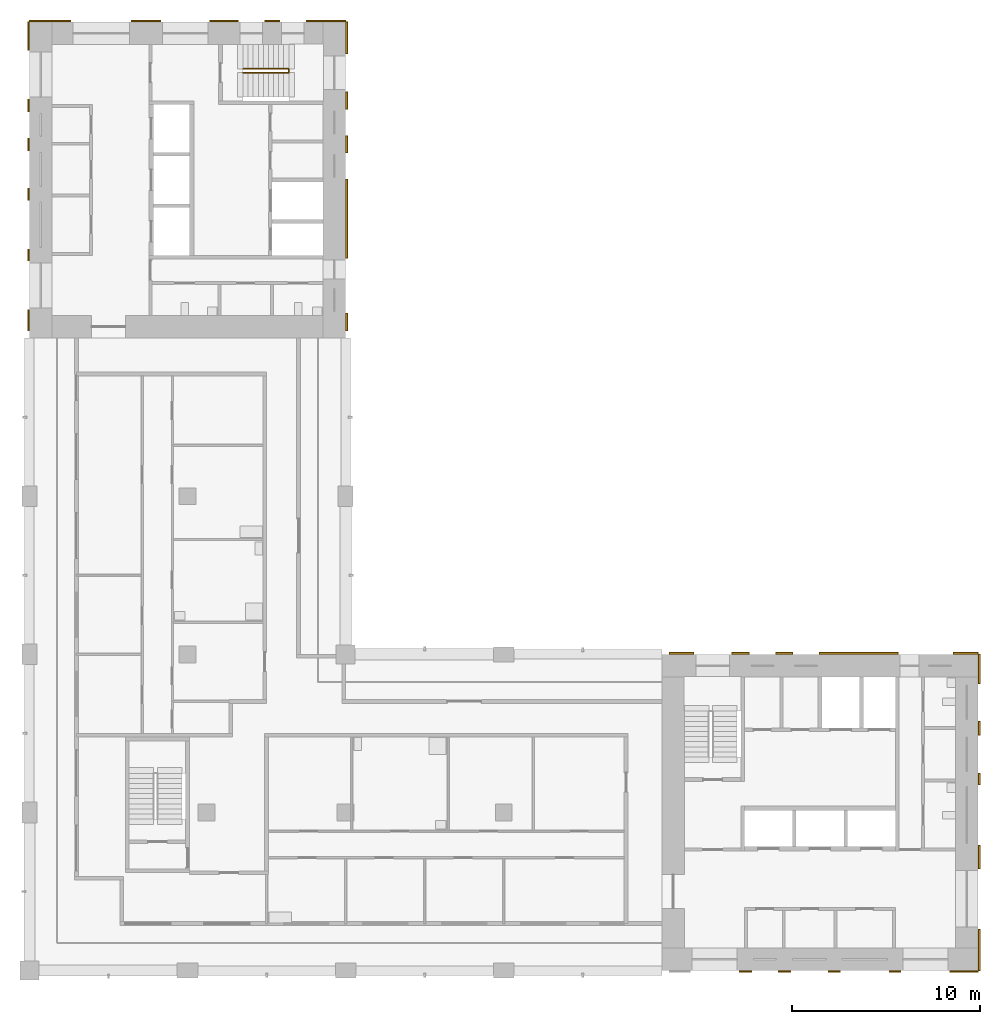
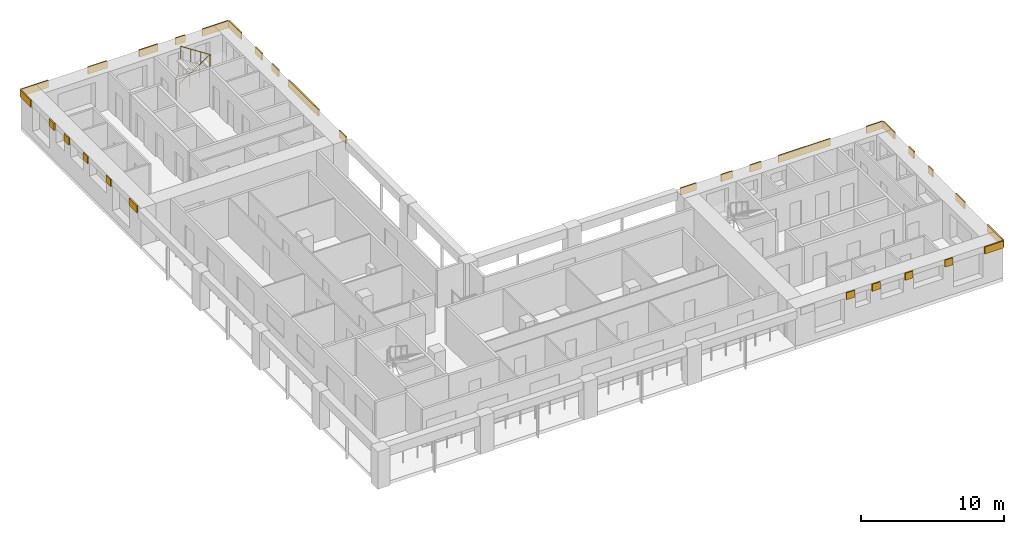
# One storey, part 8 of 9: 31 shading devices, 1 railing.
"""IFC4 building model written with IfcOpenShell, lengths in metres."""

from ifc_helpers import new_model, si_unit, direction, frame, origin, origin_2d, place, context, subcontext, project, spatial, rectangle, circle, extrude, material, layer, layer_set, type_object, element, save


model = new_model("IFC4")

# Units and contexts
model_context = context("Model", 3, precision=1e-05, world=origin(), true_north=direction((0.0, 1.0)))
body_context = subcontext(model_context, "Body", "Model", "MODEL_VIEW")
ifc_project = project(units=[si_unit("LENGTHUNIT", "METRE"), si_unit("AREAUNIT", "SQUARE_METRE"), si_unit("VOLUMEUNIT", "CUBIC_METRE"), si_unit("PLANEANGLEUNIT", "RADIAN"), si_unit("MASSUNIT", "GRAM", prefix="KILO")], contexts=[model_context])

# Site, building, storey
site_placement = place(None, origin())
site = spatial("IfcSite", under=ifc_project, at=site_placement, CompositionType="ELEMENT")
building_placement = place(site_placement, origin())
building = spatial("IfcBuilding", under=site, at=building_placement, Name="Vermilion Gate Residences", CompositionType="ELEMENT")
storey_placement = place(building_placement, frame((0.0, 0.0, 231.699951171875)))
storey = spatial("IfcBuildingStorey", under=building, at=storey_placement, Name="L60", CompositionType="ELEMENT", Elevation=231.699951171875)

# Railing
ifc_material_1 = material(Name="Steel S355", Category="steel")
railing_type = type_object("IfcRailingType", Name="STAIR GUARD 1100 STEEL", PredefinedType="GUARDRAIL", material=ifc_material_1)
railing_placement = place(storey_placement, frame((19.75, 56.300048828125, 0.175048828125)))
element("IfcRailing", 1, at=railing_placement, inside=storey, type_object=railing_type, Name="Stair well guard STB1-60", PredefinedType="GUARDRAIL", context=body_context, shape_type="SweptSolid", body=[
    extrude(circle(Radius=0.02392578125, at=origin_2d()), frame((0.0, 0.0, 1.076171875), z_axis=(0.839153699163, 0.0, 0.543894354798), x_axis=(0.0, 1.0, 0.0)), (0.0, 0.0, 1.0), 2.895751953125),
    extrude(circle(Radius=0.02392578125, at=origin_2d()), frame((2.429931640625, 0.0, 2.65087890625), z_axis=(0.0, -0.752405939678, 0.658699705433), x_axis=(1.0, 0.0, 0.0)), (0.0, 0.0, 1.0), 0.265869140625),
    extrude(circle(Radius=0.02392578125, at=origin_2d()), frame((2.429931640625, -0.199951171875, 2.826171875), z_axis=(-0.839153699163, 0.0, 0.543894354798), x_axis=(0.0, -1.0, 0.0)), (0.0, 0.0, 1.0), 2.895751953125),
    extrude(circle(Radius=0.02099609375, at=origin_2d()), origin(), (0.0, 0.0, 1.0), 1.052001953125),
    extrude(circle(Radius=0.02099609375, at=origin_2d()), frame((0.81005859375, 0.0, 0.52490234375)), (0.0, 0.0, 1.0), 1.052001953125),
    extrude(circle(Radius=0.02099609375, at=origin_2d()), frame((1.619873046875, 0.0, 1.050048828125)), (0.0, 0.0, 1.0), 1.052001953125),
    extrude(circle(Radius=0.02099609375, at=origin_2d()), frame((2.429931640625, 0.0, 1.574951171875)), (0.0, 0.0, 1.0), 1.052001953125),
    extrude(circle(Radius=0.02099609375, at=origin_2d()), frame((2.429931640625, -0.199951171875, 1.75)), (0.0, 0.0, 1.0), 1.052001953125),
    extrude(circle(Radius=0.02099609375, at=origin_2d()), frame((1.619873046875, -0.199951171875, 2.27490234375)), (0.0, 0.0, 1.0), 1.052001953125),
    extrude(circle(Radius=0.02099609375, at=origin_2d()), frame((0.81005859375, -0.199951171875, 2.800048828125)), (0.0, 0.0, 1.0), 1.052001953125),
    extrude(circle(Radius=0.02099609375, at=origin_2d()), frame((0.0, -0.199951171875, 3.324951171875)), (0.0, 0.0, 1.0), 1.052001953125),
])

# Shading devices
ifc_material_2 = material(Name="Extruded terracotta", Category="masonry")
ifc_layer = layer(ifc_material_2, 0.10009765625)
ifc_layer_set = layer_set([ifc_layer], Name="TERRACOTTA SPANDREL BAND 600 X 100")
shading_device_type = type_object("IfcShadingDeviceType", Name="TERRACOTTA SPANDREL BAND 600 X 100", PredefinedType="USERDEFINED", material=ifc_layer_set)
shading_device_1_placement = place(storey_placement, frame((46.4375, 8.35009765625, 2.6201171875), z_axis=(0.0, 0.0, 1.0), x_axis=(1.0, 0.0, 0.0)))
element("IfcShadingDevice", 2, at=shading_device_1_placement, inside=storey, type_object=shading_device_type, Name="SPANDREL BAND", ObjectType="BAND", PredefinedType="USERDEFINED", context=body_context, shape_type="SweptSolid", body=[
    extrude(rectangle(XDim=0.675048828125, YDim=0.10009765625, at=origin_2d()), origin(), (0.0, 0.0, 1.0), 0.60009765625),
])
shading_device_2_placement = place(storey_placement, frame((48.510009765625, 8.35009765625, 2.6201171875), z_axis=(0.0, 0.0, 1.0), x_axis=(1.0, 0.0, 0.0)))
element("IfcShadingDevice", 3, at=shading_device_2_placement, inside=storey, type_object=shading_device_type, Name="SPANDREL BAND", ObjectType="BAND", PredefinedType="USERDEFINED", context=body_context, shape_type="SweptSolid", body=[
    extrude(rectangle(XDim=0.669921875, YDim=0.10009765625, at=origin_2d()), origin(), (0.0, 0.0, 1.0), 0.60009765625),
])
shading_device_3_placement = place(storey_placement, frame((51.157470703125, 8.35009765625, 2.6201171875), z_axis=(0.0, 0.0, 1.0), x_axis=(1.0, 0.0, 0.0)))
element("IfcShadingDevice", 4, at=shading_device_3_placement, inside=storey, type_object=shading_device_type, Name="SPANDREL BAND", ObjectType="BAND", PredefinedType="USERDEFINED", context=body_context, shape_type="SweptSolid", body=[
    extrude(rectangle(XDim=0.625, YDim=0.10009765625, at=origin_2d()), origin(), (0.0, 0.0, 1.0), 0.60009765625),
])
shading_device_4_placement = place(storey_placement, frame((54.385009765625, 8.35009765625, 2.6201171875), z_axis=(0.0, 0.0, 1.0), x_axis=(1.0, 0.0, 0.0)))
element("IfcShadingDevice", 5, at=shading_device_4_placement, inside=storey, type_object=shading_device_type, Name="SPANDREL BAND", ObjectType="BAND", PredefinedType="USERDEFINED", context=body_context, shape_type="SweptSolid", body=[
    extrude(rectangle(XDim=0.6298828125, YDim=0.10009765625, at=origin_2d()), origin(), (0.0, 0.0, 1.0), 0.60009765625),
])
shading_device_5_placement = place(storey_placement, frame((58.050048828125, 8.35009765625, 2.6201171875), z_axis=(0.0, 0.0, 1.0), x_axis=(1.0, 0.0, 0.0)))
element("IfcShadingDevice", 6, at=shading_device_5_placement, inside=storey, type_object=shading_device_type, Name="SPANDREL BAND", ObjectType="BAND", PredefinedType="USERDEFINED", context=body_context, shape_type="SweptSolid", body=[
    extrude(rectangle(XDim=1.5, YDim=0.10009765625, at=origin_2d()), origin(), (0.0, 0.0, 1.0), 0.60009765625),
])
shading_device_6_placement = place(storey_placement, frame((43.050048828125, 25.25, 2.6201171875), z_axis=(0.0, 0.0, 1.0), x_axis=(1.0, 0.0, 0.0)))
element("IfcShadingDevice", 7, at=shading_device_6_placement, inside=storey, type_object=shading_device_type, Name="SPANDREL BAND", ObjectType="BAND", PredefinedType="USERDEFINED", context=body_context, shape_type="SweptSolid", body=[
    extrude(rectangle(XDim=1.300048828125, YDim=0.10009765625, at=origin_2d()), origin(), (0.0, 0.0, 1.0), 0.60009765625),
])
shading_device_7_placement = place(storey_placement, frame((46.168701171875, 25.25, 2.6201171875), z_axis=(0.0, 0.0, 1.0), x_axis=(1.0, 0.0, 0.0)))
element("IfcShadingDevice", 8, at=shading_device_7_placement, inside=storey, type_object=shading_device_type, Name="SPANDREL BAND", ObjectType="BAND", PredefinedType="USERDEFINED", context=body_context, shape_type="SweptSolid", body=[
    extrude(rectangle(XDim=0.9375, YDim=0.10009765625, at=origin_2d()), origin(), (0.0, 0.0, 1.0), 0.60009765625),
])
shading_device_8_placement = place(storey_placement, frame((48.49365234375, 25.25, 2.6201171875), z_axis=(0.0, 0.0, 1.0), x_axis=(1.0, 0.0, 0.0)))
element("IfcShadingDevice", 9, at=shading_device_8_placement, inside=storey, type_object=shading_device_type, Name="SPANDREL BAND", ObjectType="BAND", PredefinedType="USERDEFINED", context=body_context, shape_type="SweptSolid", body=[
    extrude(rectangle(XDim=0.91259765625, YDim=0.10009765625, at=origin_2d()), origin(), (0.0, 0.0, 1.0), 0.60009765625),
])
shading_device_9_placement = place(storey_placement, frame((52.449951171875, 25.25, 2.6201171875), z_axis=(0.0, 0.0, 1.0), x_axis=(1.0, 0.0, 0.0)))
element("IfcShadingDevice", 10, at=shading_device_9_placement, inside=storey, type_object=shading_device_type, Name="SPANDREL BAND", ObjectType="BAND", PredefinedType="USERDEFINED", context=body_context, shape_type="SweptSolid", body=[
    extrude(rectangle(XDim=4.199951171875, YDim=0.10009765625, at=origin_2d()), origin(), (0.0, 0.0, 1.0), 0.60009765625),
])
shading_device_10_placement = place(storey_placement, frame((58.137451171875, 25.25, 2.6201171875), z_axis=(0.0, 0.0, 1.0), x_axis=(1.0, 0.0, 0.0)))
element("IfcShadingDevice", 11, at=shading_device_10_placement, inside=storey, type_object=shading_device_type, Name="SPANDREL BAND", ObjectType="BAND", PredefinedType="USERDEFINED", context=body_context, shape_type="SweptSolid", body=[
    extrude(rectangle(XDim=1.324951171875, YDim=0.10009765625, at=origin_2d()), origin(), (0.0, 0.0, 1.0), 0.60009765625),
])
shading_device_11_placement = place(storey_placement, frame((58.85009765625, 9.50244140625, 2.6201171875), z_axis=(0.0, 0.0, 1.0), x_axis=(0.0, 1.0, 0.0)))
element("IfcShadingDevice", 12, at=shading_device_11_placement, inside=storey, type_object=shading_device_type, Name="SPANDREL BAND", ObjectType="BAND", PredefinedType="USERDEFINED", context=body_context, shape_type="SweptSolid", body=[
    extrude(rectangle(XDim=2.205078125, YDim=0.10009765625, at=origin_2d()), origin(), (0.0, 0.0, 1.0), 0.60009765625),
])
shading_device_12_placement = place(storey_placement, frame((58.85009765625, 14.4326171875, 2.6201171875), z_axis=(0.0, 0.0, 1.0), x_axis=(0.0, 1.0, 0.0)))
element("IfcShadingDevice", 13, at=shading_device_12_placement, inside=storey, type_object=shading_device_type, Name="SPANDREL BAND", ObjectType="BAND", PredefinedType="USERDEFINED", context=body_context, shape_type="SweptSolid", body=[
    extrude(rectangle(XDim=1.2548828125, YDim=0.10009765625, at=origin_2d()), origin(), (0.0, 0.0, 1.0), 0.60009765625),
])
shading_device_13_placement = place(storey_placement, frame((58.85009765625, 18.574951171875, 2.6201171875), z_axis=(0.0, 0.0, 1.0), x_axis=(0.0, 1.0, 0.0)))
element("IfcShadingDevice", 14, at=shading_device_13_placement, inside=storey, type_object=shading_device_type, Name="SPANDREL BAND", ObjectType="BAND", PredefinedType="USERDEFINED", context=body_context, shape_type="SweptSolid", body=[
    extrude(rectangle(XDim=0.6298828125, YDim=0.10009765625, at=origin_2d()), origin(), (0.0, 0.0, 1.0), 0.60009765625),
])
shading_device_14_placement = place(storey_placement, frame((58.85009765625, 21.27001953125, 2.6201171875), z_axis=(0.0, 0.0, 1.0), x_axis=(0.0, 1.0, 0.0)))
element("IfcShadingDevice", 15, at=shading_device_14_placement, inside=storey, type_object=shading_device_type, Name="SPANDREL BAND", ObjectType="BAND", PredefinedType="USERDEFINED", context=body_context, shape_type="SweptSolid", body=[
    extrude(rectangle(XDim=0.760009765625, YDim=0.10009765625, at=origin_2d()), origin(), (0.0, 0.0, 1.0), 0.60009765625),
])
shading_device_15_placement = place(storey_placement, frame((58.85009765625, 24.425048828125, 2.6201171875), z_axis=(0.0, 0.0, 1.0), x_axis=(0.0, 1.0, 0.0)))
element("IfcShadingDevice", 16, at=shading_device_15_placement, inside=storey, type_object=shading_device_type, Name="SPANDREL BAND", ObjectType="BAND", PredefinedType="USERDEFINED", context=body_context, shape_type="SweptSolid", body=[
    extrude(rectangle(XDim=1.550048828125, YDim=0.10009765625, at=origin_2d()), origin(), (0.0, 0.0, 1.0), 0.60009765625),
])
shading_device_16_placement = place(storey_placement, frame((9.50244140625, 58.85009765625, 2.6201171875), z_axis=(0.0, 0.0, 1.0), x_axis=(1.0, 0.0, 0.0)))
element("IfcShadingDevice", 17, at=shading_device_16_placement, inside=storey, type_object=shading_device_type, Name="SPANDREL BAND", ObjectType="BAND", PredefinedType="USERDEFINED", context=body_context, shape_type="SweptSolid", body=[
    extrude(rectangle(XDim=2.205078125, YDim=0.10009765625, at=origin_2d()), origin(), (0.0, 0.0, 1.0), 0.60009765625),
])
shading_device_17_placement = place(storey_placement, frame((14.590087890625, 58.85009765625, 2.6201171875), z_axis=(0.0, 0.0, 1.0), x_axis=(1.0, 0.0, 0.0)))
element("IfcShadingDevice", 18, at=shading_device_17_placement, inside=storey, type_object=shading_device_type, Name="SPANDREL BAND", ObjectType="BAND", PredefinedType="USERDEFINED", context=body_context, shape_type="SweptSolid", body=[
    extrude(rectangle(XDim=1.570068359375, YDim=0.10009765625, at=origin_2d()), origin(), (0.0, 0.0, 1.0), 0.60009765625),
])
shading_device_18_placement = place(storey_placement, frame((18.734130859375, 58.85009765625, 2.6201171875), z_axis=(0.0, 0.0, 1.0), x_axis=(1.0, 0.0, 0.0)))
element("IfcShadingDevice", 19, at=shading_device_18_placement, inside=storey, type_object=shading_device_type, Name="SPANDREL BAND", ObjectType="BAND", PredefinedType="USERDEFINED", context=body_context, shape_type="SweptSolid", body=[
    extrude(rectangle(XDim=1.518310546875, YDim=0.10009765625, at=origin_2d()), origin(), (0.0, 0.0, 1.0), 0.60009765625),
])
shading_device_19_placement = place(storey_placement, frame((21.294921875, 58.85009765625, 2.6201171875), z_axis=(0.0, 0.0, 1.0), x_axis=(1.0, 0.0, 0.0)))
element("IfcShadingDevice", 20, at=shading_device_19_placement, inside=storey, type_object=shading_device_type, Name="SPANDREL BAND", ObjectType="BAND", PredefinedType="USERDEFINED", context=body_context, shape_type="SweptSolid", body=[
    extrude(rectangle(XDim=0.803466796875, YDim=0.10009765625, at=origin_2d()), origin(), (0.0, 0.0, 1.0), 0.60009765625),
])
shading_device_20_placement = place(storey_placement, frame((24.1484375, 58.85009765625, 2.6201171875), z_axis=(0.0, 0.0, 1.0), x_axis=(1.0, 0.0, 0.0)))
element("IfcShadingDevice", 21, at=shading_device_20_placement, inside=storey, type_object=shading_device_type, Name="SPANDREL BAND", ObjectType="BAND", PredefinedType="USERDEFINED", context=body_context, shape_type="SweptSolid", body=[
    extrude(rectangle(XDim=2.103271484375, YDim=0.10009765625, at=origin_2d()), origin(), (0.0, 0.0, 1.0), 0.60009765625),
])
shading_device_21_placement = place(storey_placement, frame((8.35009765625, 42.949951171875, 2.6201171875), z_axis=(0.0, 0.0, 1.0), x_axis=(0.0, 1.0, 0.0)))
element("IfcShadingDevice", 22, at=shading_device_21_placement, inside=storey, type_object=shading_device_type, Name="SPANDREL BAND", ObjectType="BAND", PredefinedType="USERDEFINED", context=body_context, shape_type="SweptSolid", body=[
    extrude(rectangle(XDim=1.10009765625, YDim=0.10009765625, at=origin_2d()), origin(), (0.0, 0.0, 1.0), 0.60009765625),
])
shading_device_22_placement = place(storey_placement, frame((8.35009765625, 46.4150390625, 2.6201171875), z_axis=(0.0, 0.0, 1.0), x_axis=(0.0, 1.0, 0.0)))
element("IfcShadingDevice", 23, at=shading_device_22_placement, inside=storey, type_object=shading_device_type, Name="SPANDREL BAND", ObjectType="BAND", PredefinedType="USERDEFINED", context=body_context, shape_type="SweptSolid", body=[
    extrude(rectangle(XDim=0.6298828125, YDim=0.10009765625, at=origin_2d()), origin(), (0.0, 0.0, 1.0), 0.60009765625),
])
shading_device_23_placement = place(storey_placement, frame((8.35009765625, 49.642578125, 2.6201171875), z_axis=(0.0, 0.0, 1.0), x_axis=(0.0, 1.0, 0.0)))
element("IfcShadingDevice", 24, at=shading_device_23_placement, inside=storey, type_object=shading_device_type, Name="SPANDREL BAND", ObjectType="BAND", PredefinedType="USERDEFINED", context=body_context, shape_type="SweptSolid", body=[
    extrude(rectangle(XDim=0.625, YDim=0.10009765625, at=origin_2d()), origin(), (0.0, 0.0, 1.0), 0.60009765625),
])
shading_device_24_placement = place(storey_placement, frame((8.35009765625, 52.2900390625, 2.6201171875), z_axis=(0.0, 0.0, 1.0), x_axis=(0.0, 1.0, 0.0)))
element("IfcShadingDevice", 25, at=shading_device_24_placement, inside=storey, type_object=shading_device_type, Name="SPANDREL BAND", ObjectType="BAND", PredefinedType="USERDEFINED", context=body_context, shape_type="SweptSolid", body=[
    extrude(rectangle(XDim=0.669921875, YDim=0.10009765625, at=origin_2d()), origin(), (0.0, 0.0, 1.0), 0.60009765625),
])
shading_device_25_placement = place(storey_placement, frame((8.35009765625, 54.362548828125, 2.6201171875), z_axis=(0.0, 0.0, 1.0), x_axis=(0.0, 1.0, 0.0)))
element("IfcShadingDevice", 26, at=shading_device_25_placement, inside=storey, type_object=shading_device_type, Name="SPANDREL BAND", ObjectType="BAND", PredefinedType="USERDEFINED", context=body_context, shape_type="SweptSolid", body=[
    extrude(rectangle(XDim=0.675048828125, YDim=0.10009765625, at=origin_2d()), origin(), (0.0, 0.0, 1.0), 0.60009765625),
])
shading_device_26_placement = place(storey_placement, frame((8.35009765625, 58.050048828125, 2.6201171875), z_axis=(0.0, 0.0, 1.0), x_axis=(0.0, 1.0, 0.0)))
element("IfcShadingDevice", 27, at=shading_device_26_placement, inside=storey, type_object=shading_device_type, Name="SPANDREL BAND", ObjectType="BAND", PredefinedType="USERDEFINED", context=body_context, shape_type="SweptSolid", body=[
    extrude(rectangle(XDim=1.5, YDim=0.10009765625, at=origin_2d()), origin(), (0.0, 0.0, 1.0), 0.60009765625),
])
shading_device_27_placement = place(storey_placement, frame((25.25, 42.862548828125, 2.6201171875), z_axis=(0.0, 0.0, 1.0), x_axis=(0.0, 1.0, 0.0)))
element("IfcShadingDevice", 28, at=shading_device_27_placement, inside=storey, type_object=shading_device_type, Name="SPANDREL BAND", ObjectType="BAND", PredefinedType="USERDEFINED", context=body_context, shape_type="SweptSolid", body=[
    extrude(rectangle(XDim=0.925048828125, YDim=0.10009765625, at=origin_2d()), origin(), (0.0, 0.0, 1.0), 0.60009765625),
])
shading_device_28_placement = place(storey_placement, frame((25.25, 48.35009765625, 2.6201171875), z_axis=(0.0, 0.0, 1.0), x_axis=(0.0, 1.0, 0.0)))
element("IfcShadingDevice", 29, at=shading_device_28_placement, inside=storey, type_object=shading_device_type, Name="SPANDREL BAND", ObjectType="BAND", PredefinedType="USERDEFINED", context=body_context, shape_type="SweptSolid", body=[
    extrude(rectangle(XDim=4.199951171875, YDim=0.10009765625, at=origin_2d()), origin(), (0.0, 0.0, 1.0), 0.60009765625),
])
shading_device_29_placement = place(storey_placement, frame((25.25, 52.30615234375, 2.6201171875), z_axis=(0.0, 0.0, 1.0), x_axis=(0.0, 1.0, 0.0)))
element("IfcShadingDevice", 30, at=shading_device_29_placement, inside=storey, type_object=shading_device_type, Name="SPANDREL BAND", ObjectType="BAND", PredefinedType="USERDEFINED", context=body_context, shape_type="SweptSolid", body=[
    extrude(rectangle(XDim=0.91259765625, YDim=0.10009765625, at=origin_2d()), origin(), (0.0, 0.0, 1.0), 0.60009765625),
])
shading_device_30_placement = place(storey_placement, frame((25.25, 54.631103515625, 2.6201171875), z_axis=(0.0, 0.0, 1.0), x_axis=(0.0, 1.0, 0.0)))
element("IfcShadingDevice", 31, at=shading_device_30_placement, inside=storey, type_object=shading_device_type, Name="SPANDREL BAND", ObjectType="BAND", PredefinedType="USERDEFINED", context=body_context, shape_type="SweptSolid", body=[
    extrude(rectangle(XDim=0.9375, YDim=0.10009765625, at=origin_2d()), origin(), (0.0, 0.0, 1.0), 0.60009765625),
])
shading_device_31_placement = place(storey_placement, frame((25.25, 57.949951171875, 2.6201171875), z_axis=(0.0, 0.0, 1.0), x_axis=(0.0, 1.0, 0.0)))
element("IfcShadingDevice", 32, at=shading_device_31_placement, inside=storey, type_object=shading_device_type, Name="SPANDREL BAND", ObjectType="BAND", PredefinedType="USERDEFINED", context=body_context, shape_type="SweptSolid", body=[
    extrude(rectangle(XDim=1.699951171875, YDim=0.10009765625, at=origin_2d()), origin(), (0.0, 0.0, 1.0), 0.60009765625),
])

save(model, "model.ifc")
